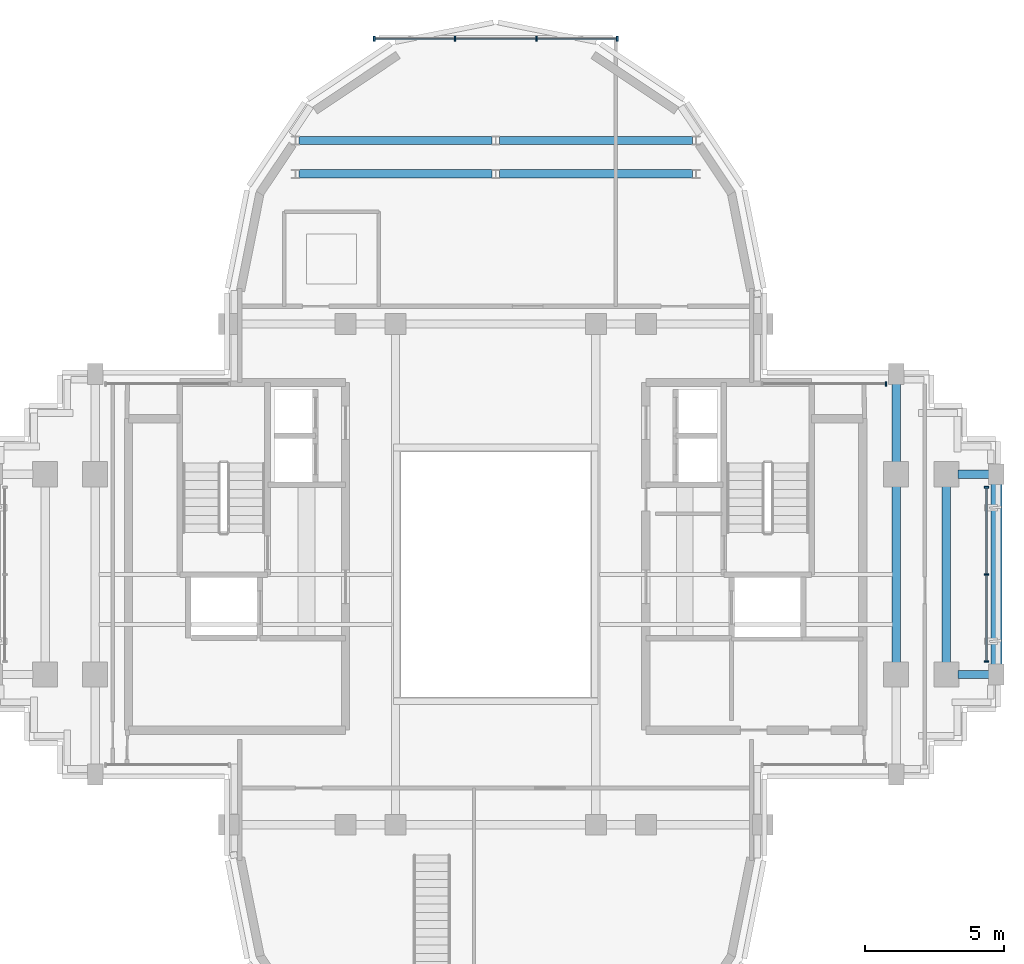
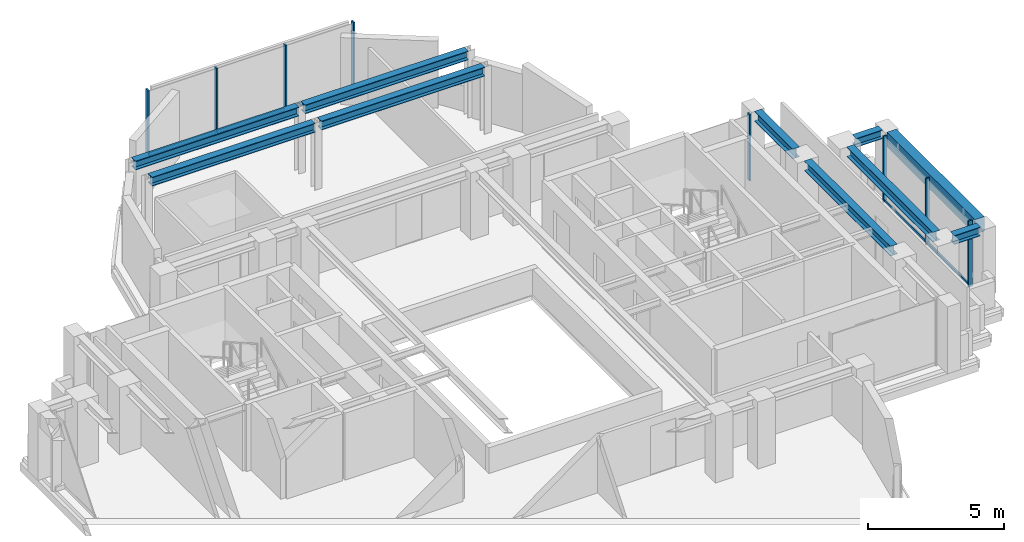
# One storey, part 6 of 12: 13 members, 10 beams, 3 elements without a shape of their own.
"""IFC4 building model written with IfcOpenShell, lengths in metres."""

from ifc_helpers import new_model, si_unit, direction, frame, origin, origin_2d, place, context, subcontext, project, spatial, rectangle, i_section, extrude, source, transform, mapped, material, material_profile, profile_set, type_object, element, aggregate, save


model = new_model("IFC4")

# Units and contexts
model_context = context("Model", 3, precision=1e-05, world=origin(), true_north=direction((0.0, 1.0)))
body_context = subcontext(model_context, "Body", "Model", "MODEL_VIEW")
ifc_project = project(units=[si_unit("LENGTHUNIT", "METRE"), si_unit("AREAUNIT", "SQUARE_METRE"), si_unit("VOLUMEUNIT", "CUBIC_METRE"), si_unit("PLANEANGLEUNIT", "RADIAN"), si_unit("MASSUNIT", "GRAM", prefix="KILO")], contexts=[model_context])

# Site, building, storey
site_placement = place(None, origin())
site = spatial("IfcSite", under=ifc_project, at=site_placement, CompositionType="ELEMENT")
building_placement = place(site_placement, origin())
building = spatial("IfcBuilding", under=site, at=building_placement, Name="Keilestroom Media Tower", CompositionType="ELEMENT")
storey_placement = place(building_placement, frame((0.0, 0.0, 239.60009765625)))
storey = spatial("IfcBuildingStorey", under=building, at=storey_placement, Name="L66", CompositionType="ELEMENT", Elevation=239.60009765625)

# Beams
ifc_material_1 = material(Name="Steel S355", Category="steel")
ifc_material_profile_1 = material_profile(ifc_material_1, i_section(OverallWidth=0.300048828125, OverallDepth=0.39990234375, WebThickness=0.011474609375, FlangeThickness=0.02392578125, at=origin_2d()), Name="HEB 400")
ifc_profile_set_1 = profile_set([ifc_material_profile_1], Name="Steel S355")
beam_type_1 = type_object("IfcBeamType", Name="Primary-Structural-Girder-HEB-400", PredefinedType="BEAM", material=ifc_profile_set_1)
shared_shape_1 = source(origin(), body_context, "Body", "SweptSolid", [
    extrude(i_section(OverallWidth=0.300048828125, OverallDepth=0.39990234375, WebThickness=0.011474609375, FlangeThickness=0.02392578125, at=origin_2d()), origin(), (0.0, 0.0, 1.0), 6.940185546875),
])
for number, where, z_axis, x_axis, name in (
    (1, (-7.070068359375, 14.39990234375, 2.809814453125), (1.0, 0.0, 0.0), (0.0, 1.0, 0.0), "L66 Beam BG-8 BM-L66-EW-021"),
    (2, (0.1298828125, 14.39990234375, 2.809814453125), (1.0, 0.0, 0.0), (0.0, 1.0, 0.0), "L66 Beam BG-8 BM-L66-EW-022"),
    (3, (-7.070068359375, 15.60009765625, 2.809814453125), (1.0, 0.0, 0.0), (0.0, 1.0, 0.0), "L66 Beam BG-8 BM-L66-EW-023"),
    (4, (0.1298828125, 15.60009765625, 2.809814453125), (1.0, 0.0, 0.0), (0.0, 1.0, 0.0), "L66 Beam BG-8 BM-L66-EW-024"),
):
    element("IfcBeam", number, at=place(storey_placement, frame(where, z_axis=z_axis, x_axis=x_axis)), inside=storey, type_object=beam_type_1, Name=name, PredefinedType="BEAM", context=body_context, shape_type="MappedRepresentation", body=[
        mapped(shared_shape_1, transform((0.0, 0.0, 0.0), x_axis=(1.0, 0.0, 0.0), y_axis=(0.0, 1.0, 0.0), z_axis=(0.0, 0.0, 1.0), scale=1.0)),
    ])
shared_shape_2 = source(origin(), body_context, "Body", "SweptSolid", [
    extrude(i_section(OverallWidth=0.300048828125, OverallDepth=0.39990234375, WebThickness=0.011474609375, FlangeThickness=0.02392578125, at=origin_2d()), origin(), (0.0, 0.0, 1.0), 1.115234375),
])
for number, where, z_axis, x_axis, name in (
    (5, (16.6298828125, -3.60009765625, 2.809814453125), (1.0, 0.0, 0.0), (0.0, 1.0, 0.0), "L66 Beam BG-8 BM-L66-EW-011"),
    (6, (16.6298828125, 3.60009765625, 2.809814453125), (1.0, 0.0, 0.0), (0.0, 1.0, 0.0), "L66 Beam BG-8 BM-L66-EW-015"),
):
    element("IfcBeam", number, at=place(storey_placement, frame(where, z_axis=z_axis, x_axis=x_axis)), inside=storey, type_object=beam_type_1, Name=name, PredefinedType="BEAM", context=body_context, shape_type="MappedRepresentation", body=[
        mapped(shared_shape_2, transform((0.0, 0.0, 0.0), x_axis=(1.0, 0.0, 0.0), y_axis=(0.0, 1.0, 0.0), z_axis=(0.0, 0.0, 1.0), scale=1.0)),
    ])
ifc_material_2 = material(Name="Precast concrete C40/50", Category="concrete")
ifc_material_profile_2 = material_profile(ifc_material_2, rectangle(XDim=0.39990234375, YDim=0.64990234375, at=origin_2d()), Name="PC 400x650")
ifc_profile_set_2 = profile_set([ifc_material_profile_2], Name="Precast concrete C40/50")
beam_type_2 = type_object("IfcBeamType", Name="Perimeter-Spandrel-Beam-PC-400x650", PredefinedType="SPANDREL", material=ifc_profile_set_2)
shared_shape_3 = source(origin(), body_context, "Body", "SweptSolid", [
    extrude(rectangle(XDim=0.39990234375, YDim=0.64990234375, at=origin_2d()), origin(), (0.0, 0.0, 1.0), 6.490234375),
])
beam_1_placement = place(storey_placement, frame((18.0, -3.2451171875, 2.684814453125), z_axis=(0.0, 1.0, 0.0), x_axis=(-1.0, 0.0, 0.0)))
element("IfcBeam", 7, at=beam_1_placement, inside=storey, type_object=beam_type_2, Name="L66 Beam SPB-2 BM-L66-NS-044", PredefinedType="SPANDREL", context=body_context, shape_type="MappedRepresentation", body=[
    mapped(shared_shape_3, transform((0.0, 0.0, 0.0), x_axis=(1.0, 0.0, 0.0), y_axis=(0.0, 1.0, 0.0), z_axis=(0.0, 0.0, 1.0), scale=1.0)),
])
ifc_material_profile_3 = material_profile(ifc_material_1, i_section(OverallWidth=0.300048828125, OverallDepth=0.43994140625, WebThickness=0.011474609375, FlangeThickness=0.02099609375, at=origin_2d()), Name="HEA 450")
ifc_profile_set_3 = profile_set([ifc_material_profile_3], Name="Steel S355")
beam_type_3 = type_object("IfcBeamType", Name="Primary-Structural-Girder-HEA-450", PredefinedType="BEAM", material=ifc_profile_set_3)
shared_shape_4 = source(origin(), body_context, "Body", "SweptSolid", [
    extrude(i_section(OverallWidth=0.300048828125, OverallDepth=0.43994140625, WebThickness=0.011474609375, FlangeThickness=0.02099609375, at=origin_2d()), origin(), (0.0, 0.0, 1.0), 6.33984375),
])
for number, where, z_axis, x_axis, name in (
    (8, (14.39990234375, -3.169921875, 2.789794921875), (0.0, 1.0, 0.0), (-1.0, 0.0, 0.0), "L66 Beam BG-11 BM-L66-NS-041"),
    (9, (16.199951171875, -3.169921875, 2.789794921875), (0.0, 1.0, 0.0), (-1.0, 0.0, 0.0), "L66 Beam BG-11 BM-L66-NS-043"),
):
    element("IfcBeam", number, at=place(storey_placement, frame(where, z_axis=z_axis, x_axis=x_axis)), inside=storey, type_object=beam_type_3, Name=name, PredefinedType="BEAM", context=body_context, shape_type="MappedRepresentation", body=[
        mapped(shared_shape_4, transform((0.0, 0.0, 0.0), x_axis=(1.0, 0.0, 0.0), y_axis=(0.0, 1.0, 0.0), z_axis=(0.0, 0.0, 1.0), scale=1.0)),
    ])
shared_shape_5 = source(origin(), body_context, "Body", "SweptSolid", [
    extrude(i_section(OverallWidth=0.300048828125, OverallDepth=0.43994140625, WebThickness=0.011474609375, FlangeThickness=0.02099609375, at=origin_2d()), origin(), (0.0, 0.0, 1.0), 2.81494140625),
])
beam_2_placement = place(storey_placement, frame((14.39990234375, 4.030029296875, 2.789794921875), z_axis=(0.0, 1.0, 0.0), x_axis=(-1.0, 0.0, 0.0)))
element("IfcBeam", 10, at=beam_2_placement, inside=storey, type_object=beam_type_3, Name="L66 Beam BG-11 BM-L66-NS-042", PredefinedType="BEAM", context=body_context, shape_type="MappedRepresentation", body=[
    mapped(shared_shape_5, transform((0.0, 0.0, 0.0), x_axis=(1.0, 0.0, 0.0), y_axis=(0.0, 1.0, 0.0), z_axis=(0.0, 0.0, 1.0), scale=1.0)),
])

# Curtain wall, members
ifc_material_3 = material(Name="Anodised Aluminium Alloy", Category="aluminium")
curtain_wall_type_1 = type_object("IfcCurtainWallType", Name="Unitised-Curtain-Wall-CW-6", PredefinedType="NOTDEFINED", material=ifc_material_3)
curtain_wall_1_placement = place(storey_placement, origin())
curtain_wall_1 = element("IfcCurtainWall", 11, at=curtain_wall_1_placement, inside=storey, type_object=curtain_wall_type_1, Name="L66 Curtain Wall CW-6 CW-L66-LN-1", PredefinedType="NOTDEFINED")
ifc_material_profile_4 = material_profile(ifc_material_3, rectangle(XDim=0.06494140625, YDim=0.179931640625, at=origin_2d()), Name="ALU MULLION 65x180")
ifc_profile_set_4 = profile_set([ifc_material_profile_4], Name="Anodised Aluminium Alloy")
member_type_1 = type_object("IfcMemberType", Name="Curtain-Wall-Mullion-CW-6", PredefinedType="MULLION", material=ifc_profile_set_4)
shared_shape_6 = source(origin(), body_context, "Body", "SweptSolid", [
    extrude(rectangle(XDim=0.06494140625, YDim=0.179931640625, at=origin_2d()), origin(), (0.0, 0.0, 1.0), 2.97998046875),
])
member_1_placement = place(storey_placement, frame((-4.367431640625, 19.25, 0.0), z_axis=(0.0, 0.0, 1.0), x_axis=(1.0, 0.0, 0.0)))
member_1 = element("IfcMember", 12, at=member_1_placement, type_object=member_type_1, Name="CW-6 Mullion 00", PredefinedType="MULLION", context=body_context, shape_type="MappedRepresentation", body=[
    mapped(shared_shape_6, transform((0.0, 0.0, 0.0), x_axis=(1.0, 0.0, 0.0), y_axis=(0.0, 1.0, 0.0), z_axis=(0.0, 0.0, 1.0), scale=1.0)),
])
member_2_placement = place(storey_placement, frame((-1.466796875, 19.25, 0.0), z_axis=(0.0, 0.0, 1.0), x_axis=(1.0, 0.0, 0.0)))
member_2 = element("IfcMember", 13, at=member_2_placement, type_object=member_type_1, Name="CW-6 Mullion 01", PredefinedType="MULLION", context=body_context, shape_type="MappedRepresentation", body=[
    mapped(shared_shape_6, transform((0.0, 0.0, 0.0), x_axis=(1.0, 0.0, 0.0), y_axis=(0.0, 1.0, 0.0), z_axis=(0.0, 0.0, 1.0), scale=1.0)),
])
member_3_placement = place(storey_placement, frame((1.466796875, 19.25, 0.0), z_axis=(0.0, 0.0, 1.0), x_axis=(1.0, 0.0, 0.0)))
member_3 = element("IfcMember", 14, at=member_3_placement, type_object=member_type_1, Name="CW-6 Mullion 02", PredefinedType="MULLION", context=body_context, shape_type="MappedRepresentation", body=[
    mapped(shared_shape_6, transform((0.0, 0.0, 0.0), x_axis=(1.0, 0.0, 0.0), y_axis=(0.0, 1.0, 0.0), z_axis=(0.0, 0.0, 1.0), scale=1.0)),
])
member_4_placement = place(storey_placement, frame((4.367431640625, 19.25, 0.0), z_axis=(0.0, 0.0, 1.0), x_axis=(1.0, 0.0, 0.0)))
member_4 = element("IfcMember", 15, at=member_4_placement, type_object=member_type_1, Name="CW-6 Mullion 03", PredefinedType="MULLION", context=body_context, shape_type="MappedRepresentation", body=[
    mapped(shared_shape_6, transform((0.0, 0.0, 0.0), x_axis=(1.0, 0.0, 0.0), y_axis=(0.0, 1.0, 0.0), z_axis=(0.0, 0.0, 1.0), scale=1.0)),
])
ifc_material_profile_5 = material_profile(ifc_material_3, rectangle(XDim=0.06494140625, YDim=0.14990234375, at=origin_2d()), Name="ALU TRANSOM 65x150")
ifc_profile_set_5 = profile_set([ifc_material_profile_5], Name="Anodised Aluminium Alloy")
member_type_2 = type_object("IfcMemberType", Name="Curtain-Wall-Transom-CW-6", PredefinedType="USERDEFINED", material=ifc_profile_set_5)
shared_shape_7 = source(origin(), body_context, "Body", "SweptSolid", [
    extrude(rectangle(XDim=0.06494140625, YDim=0.14990234375, at=origin_2d()), origin(), (0.0, 0.0, 1.0), 2.839599609375),
])
member_5_placement = place(storey_placement, frame((-4.3369140625, 19.25, 0.074951171875), z_axis=(1.0, 0.0, 0.0), x_axis=(0.0, 1.0, 0.0)))
member_5 = element("IfcMember", 16, at=member_5_placement, type_object=member_type_2, Name="CW-6 Transom 00.1", ObjectType="TRANSOM", PredefinedType="USERDEFINED", context=body_context, shape_type="MappedRepresentation", body=[
    mapped(shared_shape_7, transform((0.0, 0.0, 0.0), x_axis=(1.0, 0.0, 0.0), y_axis=(0.0, 1.0, 0.0), z_axis=(0.0, 0.0, 1.0), scale=1.0)),
])
member_6_placement = place(storey_placement, frame((1.497314453125, 19.25, 0.074951171875), z_axis=(1.0, 0.0, 0.0), x_axis=(0.0, 1.0, 0.0)))
member_6 = element("IfcMember", 17, at=member_6_placement, type_object=member_type_2, Name="CW-6 Transom 02.1", ObjectType="TRANSOM", PredefinedType="USERDEFINED", context=body_context, shape_type="MappedRepresentation", body=[
    mapped(shared_shape_7, transform((0.0, 0.0, 0.0), x_axis=(1.0, 0.0, 0.0), y_axis=(0.0, 1.0, 0.0), z_axis=(0.0, 0.0, 1.0), scale=1.0)),
])
shared_shape_8 = source(origin(), body_context, "Body", "SweptSolid", [
    extrude(rectangle(XDim=0.06494140625, YDim=0.14990234375, at=origin_2d()), origin(), (0.0, 0.0, 1.0), 2.87255859375),
])
member_7_placement = place(storey_placement, frame((-1.436279296875, 19.25, 0.074951171875), z_axis=(1.0, 0.0, 0.0), x_axis=(0.0, 1.0, 0.0)))
member_7 = element("IfcMember", 18, at=member_7_placement, type_object=member_type_2, Name="CW-6 Transom 01.1", ObjectType="TRANSOM", PredefinedType="USERDEFINED", context=body_context, shape_type="MappedRepresentation", body=[
    mapped(shared_shape_8, transform((0.0, 0.0, 0.0), x_axis=(1.0, 0.0, 0.0), y_axis=(0.0, 1.0, 0.0), z_axis=(0.0, 0.0, 1.0), scale=1.0)),
])
aggregate(curtain_wall_1, [member_1, member_2, member_3, member_4, member_5, member_7, member_6])

curtain_wall_type_2 = type_object("IfcCurtainWallType", Name="Unitised-Curtain-Wall-CW-4", PredefinedType="NOTDEFINED", material=ifc_material_3)
curtain_wall_2_placement = place(storey_placement, origin())
curtain_wall_2 = element("IfcCurtainWall", 19, at=curtain_wall_2_placement, inside=storey, type_object=curtain_wall_type_2, Name="L66 Curtain Wall CW-4 CW-L66-E-1", PredefinedType="NOTDEFINED")
ifc_material_profile_6 = material_profile(ifc_material_3, rectangle(XDim=0.06005859375, YDim=0.159912109375, at=origin_2d()), Name="ALU MULLION 60x160")
ifc_profile_set_6 = profile_set([ifc_material_profile_6], Name="Anodised Aluminium Alloy")
member_type_3 = type_object("IfcMemberType", Name="Curtain-Wall-Mullion-CW-4", PredefinedType="MULLION", material=ifc_profile_set_6)
shared_shape_9 = source(origin(), body_context, "Body", "SweptSolid", [
    extrude(rectangle(XDim=0.06005859375, YDim=0.159912109375, at=origin_2d()), origin(), (0.0, 0.0, 1.0), 2.97998046875),
])
member_8_placement = place(storey_placement, frame((17.64990234375, -3.135009765625, 0.0), z_axis=(0.0, 0.0, 1.0), x_axis=(0.0, 1.0, 0.0)))
member_8 = element("IfcMember", 20, at=member_8_placement, type_object=member_type_3, Name="CW-4 Mullion 00", PredefinedType="MULLION", context=body_context, shape_type="MappedRepresentation", body=[
    mapped(shared_shape_9, transform((0.0, 0.0, 0.0), x_axis=(1.0, 0.0, 0.0), y_axis=(0.0, 1.0, 0.0), z_axis=(0.0, 0.0, 1.0), scale=1.0)),
])
member_9_placement = place(storey_placement, frame((17.64990234375, 0.0, 0.0), z_axis=(0.0, 0.0, 1.0), x_axis=(0.0, 1.0, 0.0)))
member_9 = element("IfcMember", 21, at=member_9_placement, type_object=member_type_3, Name="CW-4 Mullion 01", PredefinedType="MULLION", context=body_context, shape_type="MappedRepresentation", body=[
    mapped(shared_shape_9, transform((0.0, 0.0, 0.0), x_axis=(1.0, 0.0, 0.0), y_axis=(0.0, 1.0, 0.0), z_axis=(0.0, 0.0, 1.0), scale=1.0)),
])
member_10_placement = place(storey_placement, frame((17.64990234375, 3.135009765625, 0.0), z_axis=(0.0, 0.0, 1.0), x_axis=(0.0, 1.0, 0.0)))
member_10 = element("IfcMember", 22, at=member_10_placement, type_object=member_type_3, Name="CW-4 Mullion 02", PredefinedType="MULLION", context=body_context, shape_type="MappedRepresentation", body=[
    mapped(shared_shape_9, transform((0.0, 0.0, 0.0), x_axis=(1.0, 0.0, 0.0), y_axis=(0.0, 1.0, 0.0), z_axis=(0.0, 0.0, 1.0), scale=1.0)),
])

# Curtain wall, member
curtain_wall_3_placement = place(storey_placement, origin())
curtain_wall_3 = element("IfcCurtainWall", 23, at=curtain_wall_3_placement, inside=storey, type_object=curtain_wall_type_2, Name="L66 Curtain Wall CW-4 CW-L66-NE-1", PredefinedType="NOTDEFINED")
member_11_placement = place(storey_placement, frame((14.034912109375, 6.85009765625, 0.0), z_axis=(0.0, 0.0, 1.0), x_axis=(1.0, 0.0, 0.0)))
member_11 = element("IfcMember", 24, at=member_11_placement, type_object=member_type_3, Name="CW-4 Mullion 01", PredefinedType="MULLION", context=body_context, shape_type="MappedRepresentation", body=[
    mapped(shared_shape_9, transform((0.0, 0.0, 0.0), x_axis=(1.0, 0.0, 0.0), y_axis=(0.0, 1.0, 0.0), z_axis=(0.0, 0.0, 1.0), scale=1.0)),
])
aggregate(curtain_wall_3, [member_11])

# Member
ifc_material_profile_7 = material_profile(ifc_material_3, rectangle(XDim=0.06005859375, YDim=0.1298828125, at=origin_2d()), Name="ALU TRANSOM 60x130")
ifc_profile_set_7 = profile_set([ifc_material_profile_7], Name="Anodised Aluminium Alloy")
member_type_4 = type_object("IfcMemberType", Name="Curtain-Wall-Transom-CW-4", PredefinedType="USERDEFINED", material=ifc_profile_set_7)
shared_shape_10 = source(origin(), body_context, "Body", "SweptSolid", [
    extrude(rectangle(XDim=0.06005859375, YDim=0.1298828125, at=origin_2d()), origin(), (0.0, 0.0, 1.0), 3.078857421875),
])
member_12_placement = place(storey_placement, frame((17.64990234375, -3.10693359375, 0.06494140625), z_axis=(0.0, 1.0, 0.0), x_axis=(-1.0, 0.0, 0.0)))
member_12 = element("IfcMember", 25, at=member_12_placement, type_object=member_type_4, Name="CW-4 Transom 00.1", ObjectType="TRANSOM", PredefinedType="USERDEFINED", context=body_context, shape_type="MappedRepresentation", body=[
    mapped(shared_shape_10, transform((0.0, 0.0, 0.0), x_axis=(1.0, 0.0, 0.0), y_axis=(0.0, 1.0, 0.0), z_axis=(0.0, 0.0, 1.0), scale=1.0)),
])

member_13_placement = place(storey_placement, frame((17.64990234375, 0.028076171875, 0.06494140625), z_axis=(0.0, 1.0, 0.0), x_axis=(-1.0, 0.0, 0.0)))
member_13 = element("IfcMember", 26, at=member_13_placement, type_object=member_type_4, Name="CW-4 Transom 01.1", ObjectType="TRANSOM", PredefinedType="USERDEFINED", context=body_context, shape_type="MappedRepresentation", body=[
    mapped(shared_shape_10, transform((0.0, 0.0, 0.0), x_axis=(1.0, 0.0, 0.0), y_axis=(0.0, 1.0, 0.0), z_axis=(0.0, 0.0, 1.0), scale=1.0)),
])

aggregate(curtain_wall_2, [member_8, member_9, member_10, member_12, member_13])

save(model, "model.ifc")
